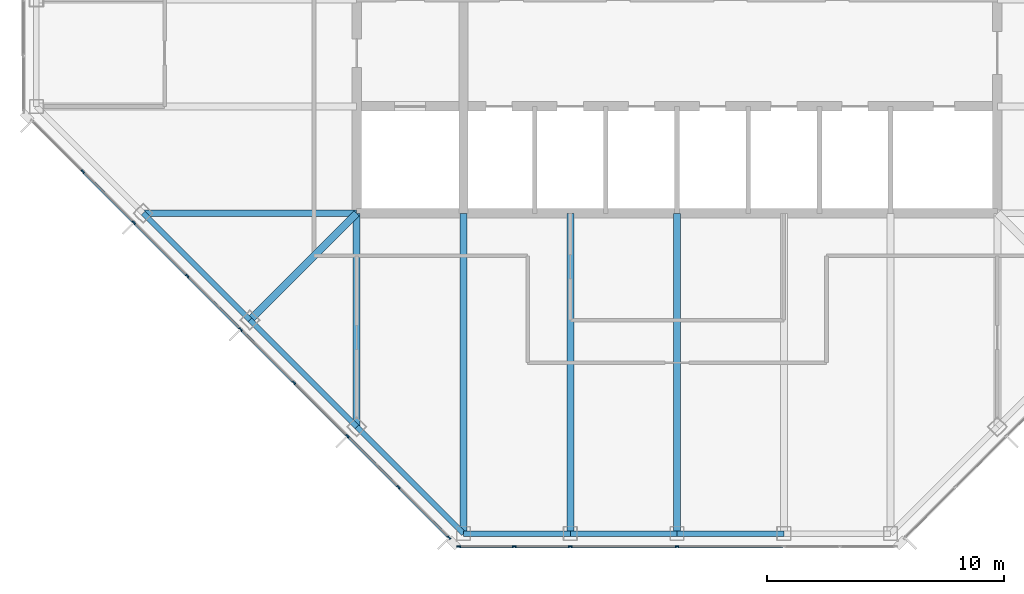
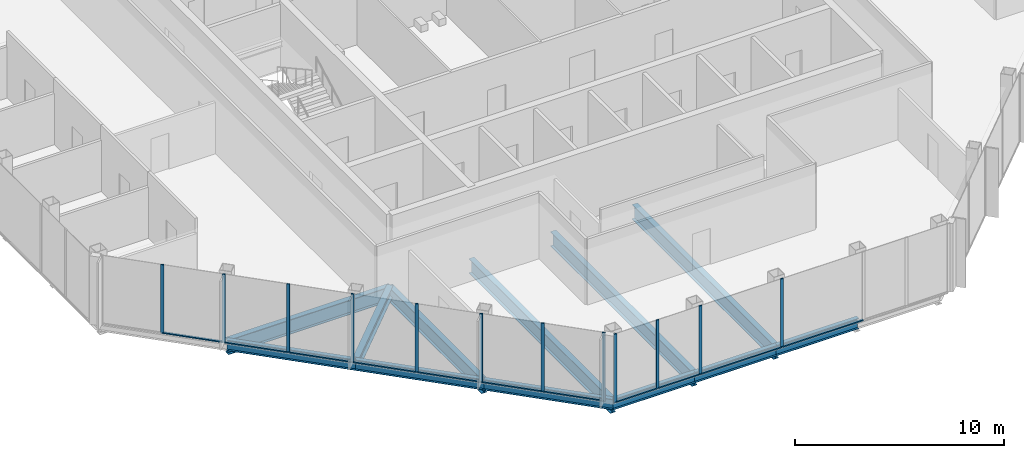
# One storey, part 2 of 14: 23 members, 12 beams, 2 elements without a shape of their own.
"""IFC4 building model written with IfcOpenShell, lengths in metres."""

from ifc_helpers import new_model, si_unit, direction, frame, origin, origin_2d, place, context, subcontext, project, spatial, rectangle, i_section, extrude, material, material_profile, profile_set, type_object, element, aggregate, save


model = new_model("IFC4")

# Units and contexts
model_context = context("Model", 3, precision=1e-05, world=origin(), true_north=direction((0.0, 1.0)))
body_context = subcontext(model_context, "Body", "Model", "MODEL_VIEW")
ifc_project = project(units=[si_unit("LENGTHUNIT", "METRE"), si_unit("AREAUNIT", "SQUARE_METRE"), si_unit("VOLUMEUNIT", "CUBIC_METRE"), si_unit("PLANEANGLEUNIT", "RADIAN"), si_unit("MASSUNIT", "GRAM", prefix="KILO")], contexts=[model_context])

# Site, building, storey
site_placement = place(None, origin())
site = spatial("IfcSite", under=ifc_project, at=site_placement, CompositionType="ELEMENT")
building_placement = place(site_placement, origin())
building = spatial("IfcBuilding", under=site, at=building_placement, Name="Corais Broadcast Tower", CompositionType="ELEMENT")
storey_placement = place(building_placement, frame((0.0, 0.0, 266.60009765625)))
storey = spatial("IfcBuildingStorey", under=building, at=storey_placement, Name="L62", CompositionType="ELEMENT", Elevation=266.60009765625)

# Beams
ifc_material_1 = material(Name="Steel ASTM A572 Grade 50", Category="steel")
ifc_material_profile_1 = material_profile(ifc_material_1, i_section(OverallWidth=0.323974609375, OverallDepth=0.611083984375, WebThickness=0.0126953125, FlangeThickness=0.01904296875, at=origin_2d()), Name="W610x155")
ifc_profile_set_1 = profile_set([ifc_material_profile_1], Name="Steel ASTM A572 Grade 50")
beam_type_1 = type_object("IfcBeamType", Name="Corner diagonal W610x155", PredefinedType="BEAM", material=ifc_profile_set_1)
beam_1_placement = place(storey_placement, frame((9.0, 9.0, -0.465576171875), z_axis=(0.707106781187, 0.707106781187, 0.0), x_axis=(-0.707106781187, 0.707106781187, 0.0)))
element("IfcBeam", 1, at=beam_1_placement, inside=storey, type_object=beam_type_1, Name="B6 C/5 to D/6", PredefinedType="BEAM", context=body_context, shape_type="SweptSolid", body=[
    extrude(i_section(OverallWidth=0.323974609375, OverallDepth=0.611083984375, WebThickness=0.0126953125, FlangeThickness=0.01904296875, at=origin_2d()), origin(), (0.0, 0.0, 1.0), 6.364013671875),
])
ifc_material_2 = material(Name="Steel ASTM A572 Grade 50", Category="steel")
ifc_material_profile_2 = material_profile(ifc_material_2, i_section(OverallWidth=0.2939453125, OverallDepth=0.85107421875, WebThickness=0.01611328125, FlangeThickness=0.02685546875, at=origin_2d()), Name="W840x226")
ifc_profile_set_2 = profile_set([ifc_material_profile_2], Name="Steel ASTM A572 Grade 50")
beam_type_2 = type_object("IfcBeamType", Name="Floor beam W840x226", PredefinedType="BEAM", material=ifc_profile_set_2)
beam_2_placement = place(storey_placement, frame((13.5, 4.5, -0.585693359375), z_axis=(0.0, 1.0, 0.0), x_axis=(-1.0, 0.0, 0.0)))
element("IfcBeam", 2, at=beam_2_placement, inside=storey, type_object=beam_type_2, Name="B1 B/6 to D/6", PredefinedType="BEAM", context=body_context, shape_type="SweptSolid", body=[
    extrude(i_section(OverallWidth=0.2939453125, OverallDepth=0.85107421875, WebThickness=0.01611328125, FlangeThickness=0.02685546875, at=origin_2d()), origin(), (0.0, 0.0, 1.0), 9.0),
])
for number, where, z_axis, x_axis, name in (
    (3, (18.0, 0.0, -0.585693359375), (0.0, 1.0, 0.0), (-1.0, 0.0, 0.0), "B1 A/7 to D/7"),
    (4, (22.5, 0.0, -0.585693359375), (0.0, 1.0, 0.0), (-1.0, 0.0, 0.0), "B1 A/8 to D/8"),
    (5, (27.0, 0.0, -0.585693359375), (0.0, 1.0, 0.0), (-1.0, 0.0, 0.0), "B1 A/9 to D/9"),
):
    element("IfcBeam", number, at=place(storey_placement, frame(where, z_axis=z_axis, x_axis=x_axis)), inside=storey, type_object=beam_type_2, Name=name, PredefinedType="BEAM", context=body_context, shape_type="SweptSolid", body=[
        extrude(i_section(OverallWidth=0.2939453125, OverallDepth=0.85107421875, WebThickness=0.01611328125, FlangeThickness=0.02685546875, at=origin_2d()), origin(), (0.0, 0.0, 1.0), 13.5),
    ])
beam_3_placement = place(storey_placement, frame((4.5, 13.5, -0.585693359375), z_axis=(1.0, 0.0, 0.0), x_axis=(0.0, 1.0, 0.0)))
element("IfcBeam", 6, at=beam_3_placement, inside=storey, type_object=beam_type_2, Name="B1 D/4 to D/6", PredefinedType="BEAM", context=body_context, shape_type="SweptSolid", body=[
    extrude(i_section(OverallWidth=0.2939453125, OverallDepth=0.85107421875, WebThickness=0.01611328125, FlangeThickness=0.02685546875, at=origin_2d()), origin(), (0.0, 0.0, 1.0), 9.0),
])

# Curtain wall, members
ifc_material_3 = material(Name="Aluminium and glass", Category="aluminium")
curtain_wall_type = type_object("IfcCurtainWallType", Name="Unitised fritted curtain wall CW3", PredefinedType="NOTDEFINED", material=ifc_material_3)
curtain_wall_1_placement = place(storey_placement, origin())
curtain_wall_1 = element("IfcCurtainWall", 7, at=curtain_wall_1_placement, inside=storey, type_object=curtain_wall_type, Name="CW3 curtain wall L62 1", PredefinedType="NOTDEFINED")
ifc_material_4 = material(Name="Aluminium 6063-T6", Category="aluminium")
ifc_material_profile_3 = material_profile(ifc_material_4, rectangle(XDim=0.06494140625, YDim=0.159912109375, at=origin_2d()), Name="Mullion CW3 65x160")
ifc_profile_set_3 = profile_set([ifc_material_profile_3], Name="Aluminium 6063-T6")
member_type_1 = type_object("IfcMemberType", Name="Mullion CW3 65x160", PredefinedType="MULLION", material=ifc_profile_set_3)
member_1_placement = place(storey_placement, frame((17.3955078125, -0.17333984375, 0.0), z_axis=(0.0, 0.0, 1.0), x_axis=(-0.707106781187, -0.707106781187, 0.0)))
member_1 = element("IfcMember", 8, at=member_1_placement, type_object=member_type_1, Name="CW3 mullion 1", PredefinedType="MULLION", context=body_context, shape_type="SweptSolid", body=[
    extrude(rectangle(XDim=0.06494140625, YDim=0.159912109375, at=origin_2d()), origin(), (0.0, 0.0, 1.0), 4.0),
])
member_2_placement = place(storey_placement, frame((15.264892578125, 1.957275390625, 0.0), z_axis=(0.0, 0.0, 1.0), x_axis=(-0.707106781187, -0.707106781187, 0.0)))
member_2 = element("IfcMember", 9, at=member_2_placement, type_object=member_type_1, Name="CW3 mullion 2", PredefinedType="MULLION", context=body_context, shape_type="SweptSolid", body=[
    extrude(rectangle(XDim=0.06494140625, YDim=0.159912109375, at=origin_2d()), origin(), (0.0, 0.0, 1.0), 4.0),
])
member_3_placement = place(storey_placement, frame((13.111083984375, 4.111083984375, 0.0), z_axis=(0.0, 0.0, 1.0), x_axis=(-0.707106781187, -0.707106781187, 0.0)))
member_3 = element("IfcMember", 10, at=member_3_placement, type_object=member_type_1, Name="CW3 mullion 3", PredefinedType="MULLION", context=body_context, shape_type="SweptSolid", body=[
    extrude(rectangle(XDim=0.06494140625, YDim=0.159912109375, at=origin_2d()), origin(), (0.0, 0.0, 1.0), 4.0),
])
member_4_placement = place(storey_placement, frame((10.861083984375, 6.361083984375, 0.0), z_axis=(0.0, 0.0, 1.0), x_axis=(-0.707106781187, -0.707106781187, 0.0)))
member_4 = element("IfcMember", 11, at=member_4_placement, type_object=member_type_1, Name="CW3 mullion 4", PredefinedType="MULLION", context=body_context, shape_type="SweptSolid", body=[
    extrude(rectangle(XDim=0.06494140625, YDim=0.159912109375, at=origin_2d()), origin(), (0.0, 0.0, 1.0), 4.0),
])
member_5_placement = place(storey_placement, frame((8.611083984375, 8.611083984375, 0.0), z_axis=(0.0, 0.0, 1.0), x_axis=(-0.707106781187, -0.707106781187, 0.0)))
member_5 = element("IfcMember", 12, at=member_5_placement, type_object=member_type_1, Name="CW3 mullion 5", PredefinedType="MULLION", context=body_context, shape_type="SweptSolid", body=[
    extrude(rectangle(XDim=0.06494140625, YDim=0.159912109375, at=origin_2d()), origin(), (0.0, 0.0, 1.0), 4.0),
])
member_6_placement = place(storey_placement, frame((6.361083984375, 10.861083984375, 0.0), z_axis=(0.0, 0.0, 1.0), x_axis=(-0.707106781187, -0.707106781187, 0.0)))
member_6 = element("IfcMember", 13, at=member_6_placement, type_object=member_type_1, Name="CW3 mullion 6", PredefinedType="MULLION", context=body_context, shape_type="SweptSolid", body=[
    extrude(rectangle(XDim=0.06494140625, YDim=0.159912109375, at=origin_2d()), origin(), (0.0, 0.0, 1.0), 4.0),
])
member_7_placement = place(storey_placement, frame((4.111083984375, 13.111083984375, 0.0), z_axis=(0.0, 0.0, 1.0), x_axis=(-0.707106781187, -0.707106781187, 0.0)))
member_7 = element("IfcMember", 14, at=member_7_placement, type_object=member_type_1, Name="CW3 mullion 7", PredefinedType="MULLION", context=body_context, shape_type="SweptSolid", body=[
    extrude(rectangle(XDim=0.06494140625, YDim=0.159912109375, at=origin_2d()), origin(), (0.0, 0.0, 1.0), 4.0),
])
member_8_placement = place(storey_placement, frame((1.957275390625, 15.264892578125, 0.0), z_axis=(0.0, 0.0, 1.0), x_axis=(-0.707106781187, -0.707106781187, 0.0)))
member_8 = element("IfcMember", 15, at=member_8_placement, type_object=member_type_1, Name="CW3 mullion 8", PredefinedType="MULLION", context=body_context, shape_type="SweptSolid", body=[
    extrude(rectangle(XDim=0.06494140625, YDim=0.159912109375, at=origin_2d()), origin(), (0.0, 0.0, 1.0), 4.0),
])

curtain_wall_2_placement = place(storey_placement, origin())
curtain_wall_2 = element("IfcCurtainWall", 16, at=curtain_wall_2_placement, inside=storey, type_object=curtain_wall_type, Name="CW3 curtain wall L62 8", PredefinedType="NOTDEFINED")
member_9_placement = place(storey_placement, frame((27.0, -0.550048828125, 0.0), z_axis=(0.0, 0.0, 1.0), x_axis=(0.0, -1.0, 0.0)))
member_9 = element("IfcMember", 17, at=member_9_placement, type_object=member_type_1, Name="CW3 mullion 4", PredefinedType="MULLION", context=body_context, shape_type="SweptSolid", body=[
    extrude(rectangle(XDim=0.06494140625, YDim=0.159912109375, at=origin_2d()), origin(), (0.0, 0.0, 1.0), 4.0),
])
member_10_placement = place(storey_placement, frame((22.5, -0.550048828125, 0.0), z_axis=(0.0, 0.0, 1.0), x_axis=(0.0, -1.0, 0.0)))
member_10 = element("IfcMember", 18, at=member_10_placement, type_object=member_type_1, Name="CW3 mullion 5", PredefinedType="MULLION", context=body_context, shape_type="SweptSolid", body=[
    extrude(rectangle(XDim=0.06494140625, YDim=0.159912109375, at=origin_2d()), origin(), (0.0, 0.0, 1.0), 4.0),
])
member_11_placement = place(storey_placement, frame((20.135986328125, -0.550048828125, 0.0), z_axis=(0.0, 0.0, 1.0), x_axis=(0.0, -1.0, 0.0)))
member_11 = element("IfcMember", 19, at=member_11_placement, type_object=member_type_1, Name="CW3 mullion 6", PredefinedType="MULLION", context=body_context, shape_type="SweptSolid", body=[
    extrude(rectangle(XDim=0.06494140625, YDim=0.159912109375, at=origin_2d()), origin(), (0.0, 0.0, 1.0), 4.0),
])
member_12_placement = place(storey_placement, frame((17.8046875, -0.550048828125, 0.0), z_axis=(0.0, 0.0, 1.0), x_axis=(0.0, -1.0, 0.0)))
member_12 = element("IfcMember", 20, at=member_12_placement, type_object=member_type_1, Name="CW3 mullion 7", PredefinedType="MULLION", context=body_context, shape_type="SweptSolid", body=[
    extrude(rectangle(XDim=0.06494140625, YDim=0.159912109375, at=origin_2d()), origin(), (0.0, 0.0, 1.0), 4.0),
])

# Beams
ifc_material_5 = material(Name="Steel ASTM A572 Grade 50", Category="steel")
ifc_material_profile_4 = material_profile(ifc_material_5, i_section(OverallWidth=0.22998046875, OverallDepth=0.616943359375, WebThickness=0.01318359375, FlangeThickness=0.022216796875, at=origin_2d()), Name="W610x140")
ifc_profile_set_4 = profile_set([ifc_material_profile_4], Name="Steel ASTM A572 Grade 50")
beam_type_3 = type_object("IfcBeamType", Name="Spandrel W610x140", PredefinedType="BEAM", material=ifc_profile_set_4)
beam_4_placement = place(storey_placement, frame((13.5, 4.5, -0.468505859375), z_axis=(0.707106781187, -0.707106781187, 0.0), x_axis=(0.707106781187, 0.707106781187, 0.0)))
element("IfcBeam", 21, at=beam_4_placement, inside=storey, type_object=beam_type_3, Name="SB3 B/6 to A/7", PredefinedType="BEAM", context=body_context, shape_type="SweptSolid", body=[
    extrude(i_section(OverallWidth=0.22998046875, OverallDepth=0.616943359375, WebThickness=0.01318359375, FlangeThickness=0.022216796875, at=origin_2d()), origin(), (0.0, 0.0, 1.0), 6.364013671875),
])
for number, where, z_axis, x_axis, name in (
    (22, (18.0, 0.0, -0.468505859375), (1.0, 0.0, 0.0), (0.0, 1.0, 0.0), "SB3 A/7 to A/8"),
    (23, (22.5, 0.0, -0.468505859375), (1.0, 0.0, 0.0), (0.0, 1.0, 0.0), "SB3 A/8 to A/9"),
    (24, (27.0, 0.0, -0.468505859375), (1.0, 0.0, 0.0), (0.0, 1.0, 0.0), "SB3 A/9 to A/10"),
):
    element("IfcBeam", number, at=place(storey_placement, frame(where, z_axis=z_axis, x_axis=x_axis)), inside=storey, type_object=beam_type_3, Name=name, PredefinedType="BEAM", context=body_context, shape_type="SweptSolid", body=[
        extrude(i_section(OverallWidth=0.22998046875, OverallDepth=0.616943359375, WebThickness=0.01318359375, FlangeThickness=0.022216796875, at=origin_2d()), origin(), (0.0, 0.0, 1.0), 4.5),
    ])
for number, where, z_axis, x_axis, name in (
    (25, (4.5, 13.5, -0.468505859375), (0.707106781187, -0.707106781187, 0.0), (0.707106781187, 0.707106781187, 0.0), "SB3 D/4 to C/5"),
    (26, (9.0, 9.0, -0.468505859375), (0.707106781187, -0.707106781187, 0.0), (0.707106781187, 0.707106781187, 0.0), "SB3 C/5 to B/6"),
):
    element("IfcBeam", number, at=place(storey_placement, frame(where, z_axis=z_axis, x_axis=x_axis)), inside=storey, type_object=beam_type_3, Name=name, PredefinedType="BEAM", context=body_context, shape_type="SweptSolid", body=[
        extrude(i_section(OverallWidth=0.22998046875, OverallDepth=0.616943359375, WebThickness=0.01318359375, FlangeThickness=0.022216796875, at=origin_2d()), origin(), (0.0, 0.0, 1.0), 6.364013671875),
    ])

# Member
ifc_material_6 = material(Name="Aluminium 6063-T6", Category="aluminium")
ifc_material_profile_5 = material_profile(ifc_material_6, rectangle(XDim=0.1201171875, YDim=0.06494140625, at=origin_2d()), Name="Transom CW3 65x120")
ifc_profile_set_5 = profile_set([ifc_material_profile_5], Name="Aluminium 6063-T6")
member_type_2 = type_object("IfcMemberType", Name="Transom CW3 65x120", PredefinedType="USERDEFINED", material=ifc_profile_set_5)
member_13_placement = place(storey_placement, frame((17.37255859375, -0.150390625, 0.032470703125), z_axis=(-0.707106781187, 0.707106781187, 0.0), x_axis=(-0.707106781187, -0.707106781187, 0.0)))
member_13 = element("IfcMember", 27, at=member_13_placement, type_object=member_type_2, Name="CW3 transom 1.1", ObjectType="TRANSOM", PredefinedType="USERDEFINED", context=body_context, shape_type="SweptSolid", body=[
    extrude(rectangle(XDim=0.1201171875, YDim=0.06494140625, at=origin_2d()), origin(), (0.0, 0.0, 1.0), 2.9482421875),
])

member_14_placement = place(storey_placement, frame((15.241943359375, 1.980224609375, 0.032470703125), z_axis=(-0.707106781187, 0.707106781187, 0.0), x_axis=(-0.707106781187, -0.707106781187, 0.0)))
member_14 = element("IfcMember", 28, at=member_14_placement, type_object=member_type_2, Name="CW3 transom 2.1", ObjectType="TRANSOM", PredefinedType="USERDEFINED", context=body_context, shape_type="SweptSolid", body=[
    extrude(rectangle(XDim=0.1201171875, YDim=0.06494140625, at=origin_2d()), origin(), (0.0, 0.0, 1.0), 2.98095703125),
])

member_15_placement = place(storey_placement, frame((13.088134765625, 4.134033203125, 0.032470703125), z_axis=(-0.707106781187, 0.707106781187, 0.0), x_axis=(-0.707106781187, -0.707106781187, 0.0)))
member_15 = element("IfcMember", 29, at=member_15_placement, type_object=member_type_2, Name="CW3 transom 3.1", ObjectType="TRANSOM", PredefinedType="USERDEFINED", context=body_context, shape_type="SweptSolid", body=[
    extrude(rectangle(XDim=0.1201171875, YDim=0.06494140625, at=origin_2d()), origin(), (0.0, 0.0, 1.0), 3.1171875),
])

member_16_placement = place(storey_placement, frame((10.838134765625, 6.384033203125, 0.032470703125), z_axis=(-0.707106781187, 0.707106781187, 0.0), x_axis=(-0.707106781187, -0.707106781187, 0.0)))
member_16 = element("IfcMember", 30, at=member_16_placement, type_object=member_type_2, Name="CW3 transom 4.1", ObjectType="TRANSOM", PredefinedType="USERDEFINED", context=body_context, shape_type="SweptSolid", body=[
    extrude(rectangle(XDim=0.1201171875, YDim=0.06494140625, at=origin_2d()), origin(), (0.0, 0.0, 1.0), 3.1171875),
])

member_17_placement = place(storey_placement, frame((8.588134765625, 8.634033203125, 0.032470703125), z_axis=(-0.707106781187, 0.707106781187, 0.0), x_axis=(-0.707106781187, -0.707106781187, 0.0)))
member_17 = element("IfcMember", 31, at=member_17_placement, type_object=member_type_2, Name="CW3 transom 5.1", ObjectType="TRANSOM", PredefinedType="USERDEFINED", context=body_context, shape_type="SweptSolid", body=[
    extrude(rectangle(XDim=0.1201171875, YDim=0.06494140625, at=origin_2d()), origin(), (0.0, 0.0, 1.0), 3.1171875),
])

member_18_placement = place(storey_placement, frame((6.338134765625, 10.884033203125, 0.032470703125), z_axis=(-0.707106781187, 0.707106781187, 0.0), x_axis=(-0.707106781187, -0.707106781187, 0.0)))
member_18 = element("IfcMember", 32, at=member_18_placement, type_object=member_type_2, Name="CW3 transom 6.1", ObjectType="TRANSOM", PredefinedType="USERDEFINED", context=body_context, shape_type="SweptSolid", body=[
    extrude(rectangle(XDim=0.1201171875, YDim=0.06494140625, at=origin_2d()), origin(), (0.0, 0.0, 1.0), 3.1171875),
])

member_19_placement = place(storey_placement, frame((4.088134765625, 13.134033203125, 0.032470703125), z_axis=(-0.707065828661, 0.70714773134, 0.0), x_axis=(-0.70714773134, -0.707065828661, 0.0)))
member_19 = element("IfcMember", 33, at=member_19_placement, type_object=member_type_2, Name="CW3 transom 7.1", ObjectType="TRANSOM", PredefinedType="USERDEFINED", context=body_context, shape_type="SweptSolid", body=[
    extrude(rectangle(XDim=0.1201171875, YDim=0.06494140625, at=origin_2d()), origin(), (0.0, 0.0, 1.0), 2.98095703125),
])

aggregate(curtain_wall_1, [member_1, member_2, member_3, member_4, member_5, member_6, member_7, member_8, member_13, member_14, member_15, member_16, member_17, member_18, member_19])

member_20_placement = place(storey_placement, frame((31.467529296875, -0.550048828125, 0.032470703125), z_axis=(-1.0, 0.0, 0.0), x_axis=(0.0, -1.0, 0.0)))
member_20 = element("IfcMember", 34, at=member_20_placement, type_object=member_type_2, Name="CW3 transom 3.1", ObjectType="TRANSOM", PredefinedType="USERDEFINED", context=body_context, shape_type="SweptSolid", body=[
    extrude(rectangle(XDim=0.1201171875, YDim=0.06494140625, at=origin_2d()), origin(), (0.0, 0.0, 1.0), 4.43505859375),
])

member_21_placement = place(storey_placement, frame((26.967529296875, -0.550048828125, 0.032470703125), z_axis=(-1.0, 0.0, 0.0), x_axis=(0.0, -1.0, 0.0)))
member_21 = element("IfcMember", 35, at=member_21_placement, type_object=member_type_2, Name="CW3 transom 4.1", ObjectType="TRANSOM", PredefinedType="USERDEFINED", context=body_context, shape_type="SweptSolid", body=[
    extrude(rectangle(XDim=0.1201171875, YDim=0.06494140625, at=origin_2d()), origin(), (0.0, 0.0, 1.0), 4.43505859375),
])

member_22_placement = place(storey_placement, frame((22.467529296875, -0.550048828125, 0.032470703125), z_axis=(-1.0, 0.0, 0.0), x_axis=(0.0, -1.0, 0.0)))
member_22 = element("IfcMember", 36, at=member_22_placement, type_object=member_type_2, Name="CW3 transom 5.1", ObjectType="TRANSOM", PredefinedType="USERDEFINED", context=body_context, shape_type="SweptSolid", body=[
    extrude(rectangle(XDim=0.1201171875, YDim=0.06494140625, at=origin_2d()), origin(), (0.0, 0.0, 1.0), 2.298828125),
])

member_23_placement = place(storey_placement, frame((20.103515625, -0.550048828125, 0.032470703125), z_axis=(-1.0, 0.0, 0.0), x_axis=(0.0, -1.0, 0.0)))
member_23 = element("IfcMember", 37, at=member_23_placement, type_object=member_type_2, Name="CW3 transom 6.1", ObjectType="TRANSOM", PredefinedType="USERDEFINED", context=body_context, shape_type="SweptSolid", body=[
    extrude(rectangle(XDim=0.1201171875, YDim=0.06494140625, at=origin_2d()), origin(), (0.0, 0.0, 1.0), 2.266357421875),
])

aggregate(curtain_wall_2, [member_9, member_10, member_11, member_12, member_20, member_21, member_22, member_23])

save(model, "model.ifc")
